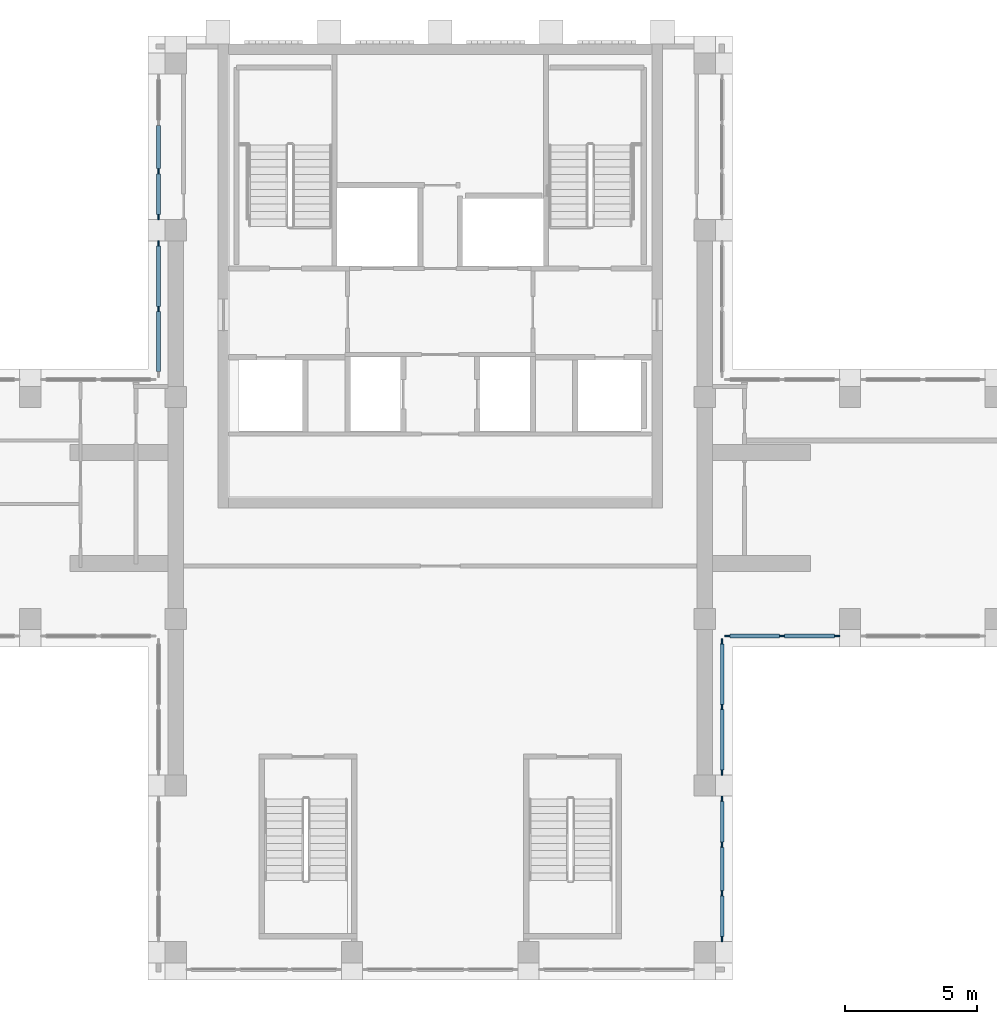
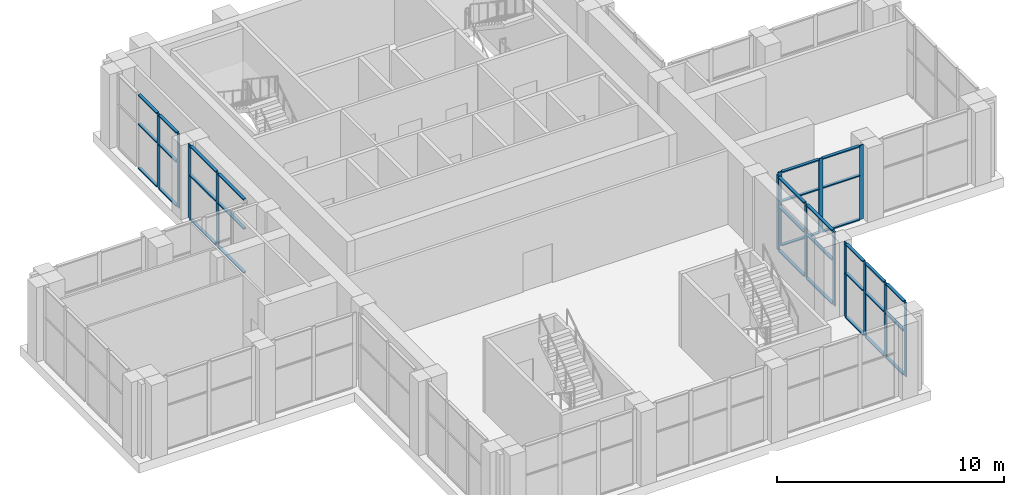
# One storey, part 4 of 15: 47 members, 5 elements without a shape of their own.
"""IFC4 building model written with IfcOpenShell, lengths in metres."""

from ifc_helpers import new_model, si_unit, direction, frame, origin, origin_2d, place, context, subcontext, project, spatial, rectangle, extrude, material, material_profile, profile_set, type_object, element, aggregate, save


model = new_model("IFC4")

# Units and contexts
model_context = context("Model", 3, precision=1e-05, world=origin(), true_north=direction((0.0, 1.0)))
body_context = subcontext(model_context, "Body", "Model", "MODEL_VIEW")
ifc_project = project(units=[si_unit("LENGTHUNIT", "METRE"), si_unit("AREAUNIT", "SQUARE_METRE"), si_unit("VOLUMEUNIT", "CUBIC_METRE"), si_unit("PLANEANGLEUNIT", "RADIAN"), si_unit("MASSUNIT", "GRAM", prefix="KILO")], contexts=[model_context])

# Site, building, storey
site_placement = place(None, origin())
site = spatial("IfcSite", under=ifc_project, at=site_placement, CompositionType="ELEMENT")
building_placement = place(site_placement, origin())
building = spatial("IfcBuilding", under=site, at=building_placement, Name="Vermilion Ogive Tower", CompositionType="ELEMENT")
storey_placement = place(building_placement, frame((0.0, 0.0, 293.85009765625)))
storey = spatial("IfcBuildingStorey", under=building, at=storey_placement, Name="L76", CompositionType="ELEMENT", Elevation=293.85009765625)

# Curtain wall, members
ifc_material_1 = material(Name="Low-iron laminated glazing in aluminium frame", Category="aluminium")
curtain_wall_type = type_object("IfcCurtainWallType", Name="Curtain wall CW3", PredefinedType="NOTDEFINED", material=ifc_material_1)
curtain_wall_1_placement = place(storey_placement, origin())
curtain_wall_1 = element("IfcCurtainWall", 1, at=curtain_wall_1_placement, inside=storey, type_object=curtain_wall_type, Name="CW3 glazing X11", PredefinedType="NOTDEFINED")
ifc_material_2 = material(Name="Aluminium mullion", Category="aluminium")
ifc_material_profile_1 = material_profile(ifc_material_2, rectangle(XDim=0.06005859375, YDim=0.199951171875, at=origin_2d()), Name="AL 60x200")
ifc_profile_set_1 = profile_set([ifc_material_profile_1], Name="Aluminium mullion")
member_type_1 = type_object("IfcMemberType", Name="CW3 mullion 60x200", PredefinedType="MULLION", material=ifc_profile_set_1)
member_1_placement = place(storey_placement, frame((10.64990234375, -12.10009765625, 0.0), z_axis=(0.0, 0.0, 1.0), x_axis=(-1.0, 0.0, 0.0)))
member_1 = element("IfcMember", 2, at=member_1_placement, type_object=member_type_1, Name="CW3-X11 mullion 1", PredefinedType="MULLION", context=body_context, shape_type="SweptSolid", body=[
    extrude(rectangle(XDim=0.06005859375, YDim=0.199951171875, at=origin_2d()), origin(), (0.0, 0.0, 1.0), 4.0),
])
member_2_placement = place(storey_placement, frame((10.64990234375, -10.36669921875, 0.0), z_axis=(0.0, 0.0, 1.0), x_axis=(-1.0, 0.0, 0.0)))
member_2 = element("IfcMember", 3, at=member_2_placement, type_object=member_type_1, Name="CW3-X11 mullion 2", PredefinedType="MULLION", context=body_context, shape_type="SweptSolid", body=[
    extrude(rectangle(XDim=0.06005859375, YDim=0.199951171875, at=origin_2d()), origin(), (0.0, 0.0, 1.0), 4.0),
])
member_3_placement = place(storey_placement, frame((10.64990234375, -8.533447265625, 0.0), z_axis=(0.0, 0.0, 1.0), x_axis=(-1.0, 0.0, 0.0)))
member_3 = element("IfcMember", 4, at=member_3_placement, type_object=member_type_1, Name="CW3-X11 mullion 3", PredefinedType="MULLION", context=body_context, shape_type="SweptSolid", body=[
    extrude(rectangle(XDim=0.06005859375, YDim=0.199951171875, at=origin_2d()), origin(), (0.0, 0.0, 1.0), 4.0),
])
member_4_placement = place(storey_placement, frame((10.64990234375, -6.800048828125, 0.0), z_axis=(0.0, 0.0, 1.0), x_axis=(-1.0, 0.0, 0.0)))
member_4 = element("IfcMember", 5, at=member_4_placement, type_object=member_type_1, Name="CW3-X11 mullion 4", PredefinedType="MULLION", context=body_context, shape_type="SweptSolid", body=[
    extrude(rectangle(XDim=0.06005859375, YDim=0.199951171875, at=origin_2d()), origin(), (0.0, 0.0, 1.0), 4.0),
])

curtain_wall_2_placement = place(storey_placement, origin())
curtain_wall_2 = element("IfcCurtainWall", 6, at=curtain_wall_2_placement, inside=storey, type_object=curtain_wall_type, Name="CW3 glazing X12", PredefinedType="NOTDEFINED")
member_5_placement = place(storey_placement, frame((10.64990234375, -5.800048828125, 0.0), z_axis=(0.0, 0.0, 1.0), x_axis=(-1.0, 0.0, 0.0)))
member_5 = element("IfcMember", 7, at=member_5_placement, type_object=member_type_1, Name="CW3-X12 mullion 1", PredefinedType="MULLION", context=body_context, shape_type="SweptSolid", body=[
    extrude(rectangle(XDim=0.06005859375, YDim=0.199951171875, at=origin_2d()), origin(), (0.0, 0.0, 1.0), 4.0),
])
member_6_placement = place(storey_placement, frame((10.64990234375, -3.324951171875, 0.0), z_axis=(0.0, 0.0, 1.0), x_axis=(-1.0, 0.0, 0.0)))
member_6 = element("IfcMember", 8, at=member_6_placement, type_object=member_type_1, Name="CW3-X12 mullion 2", PredefinedType="MULLION", context=body_context, shape_type="SweptSolid", body=[
    extrude(rectangle(XDim=0.06005859375, YDim=0.199951171875, at=origin_2d()), origin(), (0.0, 0.0, 1.0), 4.0),
])
member_7_placement = place(storey_placement, frame((10.64990234375, -0.85009765625, 0.0), z_axis=(0.0, 0.0, 1.0), x_axis=(-1.0, 0.0, 0.0)))
member_7 = element("IfcMember", 9, at=member_7_placement, type_object=member_type_1, Name="CW3-X12 mullion 3", PredefinedType="MULLION", context=body_context, shape_type="SweptSolid", body=[
    extrude(rectangle(XDim=0.06005859375, YDim=0.199951171875, at=origin_2d()), origin(), (0.0, 0.0, 1.0), 4.0),
])

curtain_wall_3_placement = place(storey_placement, origin())
curtain_wall_3 = element("IfcCurtainWall", 10, at=curtain_wall_3_placement, inside=storey, type_object=curtain_wall_type, Name="CW3 glazing X21", PredefinedType="NOTDEFINED")
member_8_placement = place(storey_placement, frame((10.85009765625, -0.64990234375, 0.0), z_axis=(0.0, 0.0, 1.0), x_axis=(0.0, 1.0, 0.0)))
member_8 = element("IfcMember", 11, at=member_8_placement, type_object=member_type_1, Name="CW3-X21 mullion 1", PredefinedType="MULLION", context=body_context, shape_type="SweptSolid", body=[
    extrude(rectangle(XDim=0.06005859375, YDim=0.199951171875, at=origin_2d()), origin(), (0.0, 0.0, 1.0), 4.0),
])
member_9_placement = place(storey_placement, frame((12.925048828125, -0.64990234375, 0.0), z_axis=(0.0, 0.0, 1.0), x_axis=(0.0, 1.0, 0.0)))
member_9 = element("IfcMember", 12, at=member_9_placement, type_object=member_type_1, Name="CW3-X21 mullion 2", PredefinedType="MULLION", context=body_context, shape_type="SweptSolid", body=[
    extrude(rectangle(XDim=0.06005859375, YDim=0.199951171875, at=origin_2d()), origin(), (0.0, 0.0, 1.0), 4.0),
])
member_10_placement = place(storey_placement, frame((15.0, -0.64990234375, 0.0), z_axis=(0.0, 0.0, 1.0), x_axis=(0.0, 1.0, 0.0)))
member_10 = element("IfcMember", 13, at=member_10_placement, type_object=member_type_1, Name="CW3-X21 mullion 3", PredefinedType="MULLION", context=body_context, shape_type="SweptSolid", body=[
    extrude(rectangle(XDim=0.06005859375, YDim=0.199951171875, at=origin_2d()), origin(), (0.0, 0.0, 1.0), 4.0),
])

curtain_wall_4_placement = place(storey_placement, origin())
curtain_wall_4 = element("IfcCurtainWall", 14, at=curtain_wall_4_placement, inside=storey, type_object=curtain_wall_type, Name="CW3 glazing X51", PredefinedType="NOTDEFINED")
member_11_placement = place(storey_placement, frame((-10.64990234375, 16.933349609375, 0.0), z_axis=(0.0, 0.0, 1.0), x_axis=(1.0, 0.0, 0.0)))
member_11 = element("IfcMember", 15, at=member_11_placement, type_object=member_type_1, Name="CW3-X51 mullion 3", PredefinedType="MULLION", context=body_context, shape_type="SweptSolid", body=[
    extrude(rectangle(XDim=0.06005859375, YDim=0.199951171875, at=origin_2d()), origin(), (0.0, 0.0, 1.0), 4.0),
])
member_12_placement = place(storey_placement, frame((-10.64990234375, 15.199951171875, 0.0), z_axis=(0.0, 0.0, 1.0), x_axis=(1.0, 0.0, 0.0)))
member_12 = element("IfcMember", 16, at=member_12_placement, type_object=member_type_1, Name="CW3-X51 mullion 4", PredefinedType="MULLION", context=body_context, shape_type="SweptSolid", body=[
    extrude(rectangle(XDim=0.06005859375, YDim=0.199951171875, at=origin_2d()), origin(), (0.0, 0.0, 1.0), 4.0),
])

curtain_wall_5_placement = place(storey_placement, origin())
curtain_wall_5 = element("IfcCurtainWall", 17, at=curtain_wall_5_placement, inside=storey, type_object=curtain_wall_type, Name="CW3 glazing X52", PredefinedType="NOTDEFINED")
member_13_placement = place(storey_placement, frame((-10.64990234375, 14.199951171875, 0.0), z_axis=(0.0, 0.0, 1.0), x_axis=(1.0, 0.0, 0.0)))
member_13 = element("IfcMember", 18, at=member_13_placement, type_object=member_type_1, Name="CW3-X52 mullion 1", PredefinedType="MULLION", context=body_context, shape_type="SweptSolid", body=[
    extrude(rectangle(XDim=0.06005859375, YDim=0.199951171875, at=origin_2d()), origin(), (0.0, 0.0, 1.0), 4.0),
])
member_14_placement = place(storey_placement, frame((-10.64990234375, 11.72509765625, 0.0), z_axis=(0.0, 0.0, 1.0), x_axis=(1.0, 0.0, 0.0)))
member_14 = element("IfcMember", 19, at=member_14_placement, type_object=member_type_1, Name="CW3-X52 mullion 2", PredefinedType="MULLION", context=body_context, shape_type="SweptSolid", body=[
    extrude(rectangle(XDim=0.06005859375, YDim=0.199951171875, at=origin_2d()), origin(), (0.0, 0.0, 1.0), 4.0),
])

# Member
ifc_material_3 = material(Name="Aluminium transom", Category="aluminium")
ifc_material_profile_2 = material_profile(ifc_material_3, rectangle(XDim=0.14990234375, YDim=0.06005859375, at=origin_2d()), Name="AL 60x150")
ifc_profile_set_2 = profile_set([ifc_material_profile_2], Name="Aluminium transom")
member_type_2 = type_object("IfcMemberType", Name="CW3 transom 60x150", PredefinedType="USERDEFINED", material=ifc_profile_set_2)
member_15_placement = place(storey_placement, frame((10.64990234375, -12.0, 0.02978515625), z_axis=(0.0, 1.0, 0.0), x_axis=(-1.0, 0.0, 0.0)))
member_15 = element("IfcMember", 20, at=member_15_placement, type_object=member_type_2, Name="CW3-X11 transom 1.1", ObjectType="TRANSOM", PredefinedType="USERDEFINED", context=body_context, shape_type="SweptSolid", body=[
    extrude(rectangle(XDim=0.14990234375, YDim=0.06005859375, at=origin_2d()), origin(), (0.0, 0.0, 1.0), 1.533447265625),
])

member_16_placement = place(storey_placement, frame((10.64990234375, -12.0, 2.39990234375), z_axis=(0.0, 1.0, 0.0), x_axis=(-1.0, 0.0, 0.0)))
member_16 = element("IfcMember", 21, at=member_16_placement, type_object=member_type_2, Name="CW3-X11 transom 1.2", ObjectType="TRANSOM", PredefinedType="USERDEFINED", context=body_context, shape_type="SweptSolid", body=[
    extrude(rectangle(XDim=0.14990234375, YDim=0.06005859375, at=origin_2d()), origin(), (0.0, 0.0, 1.0), 1.533447265625),
])

member_17_placement = place(storey_placement, frame((10.64990234375, -12.0, 3.969970703125), z_axis=(0.0, 1.0, 0.0), x_axis=(-1.0, 0.0, 0.0)))
member_17 = element("IfcMember", 22, at=member_17_placement, type_object=member_type_2, Name="CW3-X11 transom 1.3", ObjectType="TRANSOM", PredefinedType="USERDEFINED", context=body_context, shape_type="SweptSolid", body=[
    extrude(rectangle(XDim=0.14990234375, YDim=0.06005859375, at=origin_2d()), origin(), (0.0, 0.0, 1.0), 1.533447265625),
])

member_18_placement = place(storey_placement, frame((10.64990234375, -10.2666015625, 0.02978515625), z_axis=(0.0, 1.0, 0.0), x_axis=(-1.0, 0.0, 0.0)))
member_18 = element("IfcMember", 23, at=member_18_placement, type_object=member_type_2, Name="CW3-X11 transom 2.1", ObjectType="TRANSOM", PredefinedType="USERDEFINED", context=body_context, shape_type="SweptSolid", body=[
    extrude(rectangle(XDim=0.14990234375, YDim=0.06005859375, at=origin_2d()), origin(), (0.0, 0.0, 1.0), 1.63330078125),
])

member_19_placement = place(storey_placement, frame((10.64990234375, -10.2666015625, 2.39990234375), z_axis=(0.0, 1.0, 0.0), x_axis=(-1.0, 0.0, 0.0)))
member_19 = element("IfcMember", 24, at=member_19_placement, type_object=member_type_2, Name="CW3-X11 transom 2.2", ObjectType="TRANSOM", PredefinedType="USERDEFINED", context=body_context, shape_type="SweptSolid", body=[
    extrude(rectangle(XDim=0.14990234375, YDim=0.06005859375, at=origin_2d()), origin(), (0.0, 0.0, 1.0), 1.63330078125),
])

member_20_placement = place(storey_placement, frame((10.64990234375, -10.2666015625, 3.969970703125), z_axis=(0.0, 1.0, 0.0), x_axis=(-1.0, 0.0, 0.0)))
member_20 = element("IfcMember", 25, at=member_20_placement, type_object=member_type_2, Name="CW3-X11 transom 2.3", ObjectType="TRANSOM", PredefinedType="USERDEFINED", context=body_context, shape_type="SweptSolid", body=[
    extrude(rectangle(XDim=0.14990234375, YDim=0.06005859375, at=origin_2d()), origin(), (0.0, 0.0, 1.0), 1.63330078125),
])

member_21_placement = place(storey_placement, frame((10.64990234375, -8.433349609375, 0.02978515625), z_axis=(0.0, 1.0, 0.0), x_axis=(-1.0, 0.0, 0.0)))
member_21 = element("IfcMember", 26, at=member_21_placement, type_object=member_type_2, Name="CW3-X11 transom 3.1", ObjectType="TRANSOM", PredefinedType="USERDEFINED", context=body_context, shape_type="SweptSolid", body=[
    extrude(rectangle(XDim=0.14990234375, YDim=0.06005859375, at=origin_2d()), origin(), (0.0, 0.0, 1.0), 1.533447265625),
])

member_22_placement = place(storey_placement, frame((10.64990234375, -8.433349609375, 2.39990234375), z_axis=(0.0, 1.0, 0.0), x_axis=(-1.0, 0.0, 0.0)))
member_22 = element("IfcMember", 27, at=member_22_placement, type_object=member_type_2, Name="CW3-X11 transom 3.2", ObjectType="TRANSOM", PredefinedType="USERDEFINED", context=body_context, shape_type="SweptSolid", body=[
    extrude(rectangle(XDim=0.14990234375, YDim=0.06005859375, at=origin_2d()), origin(), (0.0, 0.0, 1.0), 1.533447265625),
])

member_23_placement = place(storey_placement, frame((10.64990234375, -8.433349609375, 3.969970703125), z_axis=(0.0, 1.0, 0.0), x_axis=(-1.0, 0.0, 0.0)))
member_23 = element("IfcMember", 28, at=member_23_placement, type_object=member_type_2, Name="CW3-X11 transom 3.3", ObjectType="TRANSOM", PredefinedType="USERDEFINED", context=body_context, shape_type="SweptSolid", body=[
    extrude(rectangle(XDim=0.14990234375, YDim=0.06005859375, at=origin_2d()), origin(), (0.0, 0.0, 1.0), 1.533447265625),
])

aggregate(curtain_wall_1, [member_1, member_2, member_3, member_4, member_15, member_16, member_17, member_18, member_19, member_20, member_21, member_22, member_23])

member_24_placement = place(storey_placement, frame((10.64990234375, -5.699951171875, 0.02978515625), z_axis=(0.0, 1.0, 0.0), x_axis=(-1.0, 0.0, 0.0)))
member_24 = element("IfcMember", 29, at=member_24_placement, type_object=member_type_2, Name="CW3-X12 transom 1.1", ObjectType="TRANSOM", PredefinedType="USERDEFINED", context=body_context, shape_type="SweptSolid", body=[
    extrude(rectangle(XDim=0.14990234375, YDim=0.06005859375, at=origin_2d()), origin(), (0.0, 0.0, 1.0), 2.27490234375),
])

member_25_placement = place(storey_placement, frame((10.64990234375, -5.699951171875, 2.39990234375), z_axis=(0.0, 1.0, 0.0), x_axis=(-1.0, 0.0, 0.0)))
member_25 = element("IfcMember", 30, at=member_25_placement, type_object=member_type_2, Name="CW3-X12 transom 1.2", ObjectType="TRANSOM", PredefinedType="USERDEFINED", context=body_context, shape_type="SweptSolid", body=[
    extrude(rectangle(XDim=0.14990234375, YDim=0.06005859375, at=origin_2d()), origin(), (0.0, 0.0, 1.0), 2.27490234375),
])

member_26_placement = place(storey_placement, frame((10.64990234375, -5.699951171875, 3.969970703125), z_axis=(0.0, 1.0, 0.0), x_axis=(-1.0, 0.0, 0.0)))
member_26 = element("IfcMember", 31, at=member_26_placement, type_object=member_type_2, Name="CW3-X12 transom 1.3", ObjectType="TRANSOM", PredefinedType="USERDEFINED", context=body_context, shape_type="SweptSolid", body=[
    extrude(rectangle(XDim=0.14990234375, YDim=0.06005859375, at=origin_2d()), origin(), (0.0, 0.0, 1.0), 2.27490234375),
])

member_27_placement = place(storey_placement, frame((10.64990234375, -3.22509765625, 0.02978515625), z_axis=(0.0, 1.0, 0.0), x_axis=(-1.0, 0.0, 0.0)))
member_27 = element("IfcMember", 32, at=member_27_placement, type_object=member_type_2, Name="CW3-X12 transom 2.1", ObjectType="TRANSOM", PredefinedType="USERDEFINED", context=body_context, shape_type="SweptSolid", body=[
    extrude(rectangle(XDim=0.14990234375, YDim=0.06005859375, at=origin_2d()), origin(), (0.0, 0.0, 1.0), 2.275146484375),
])

member_28_placement = place(storey_placement, frame((10.64990234375, -3.22509765625, 2.39990234375), z_axis=(0.0, 1.0, 0.0), x_axis=(-1.0, 0.0, 0.0)))
member_28 = element("IfcMember", 33, at=member_28_placement, type_object=member_type_2, Name="CW3-X12 transom 2.2", ObjectType="TRANSOM", PredefinedType="USERDEFINED", context=body_context, shape_type="SweptSolid", body=[
    extrude(rectangle(XDim=0.14990234375, YDim=0.06005859375, at=origin_2d()), origin(), (0.0, 0.0, 1.0), 2.275146484375),
])

member_29_placement = place(storey_placement, frame((10.64990234375, -3.22509765625, 3.969970703125), z_axis=(0.0, 1.0, 0.0), x_axis=(-1.0, 0.0, 0.0)))
member_29 = element("IfcMember", 34, at=member_29_placement, type_object=member_type_2, Name="CW3-X12 transom 2.3", ObjectType="TRANSOM", PredefinedType="USERDEFINED", context=body_context, shape_type="SweptSolid", body=[
    extrude(rectangle(XDim=0.14990234375, YDim=0.06005859375, at=origin_2d()), origin(), (0.0, 0.0, 1.0), 2.275146484375),
])

aggregate(curtain_wall_2, [member_5, member_6, member_7, member_24, member_25, member_26, member_27, member_28, member_29])

member_30_placement = place(storey_placement, frame((10.949951171875, -0.64990234375, 0.02978515625), z_axis=(1.0, 0.0, 0.0), x_axis=(0.0, 1.0, 0.0)))
member_30 = element("IfcMember", 35, at=member_30_placement, type_object=member_type_2, Name="CW3-X21 transom 1.1", ObjectType="TRANSOM", PredefinedType="USERDEFINED", context=body_context, shape_type="SweptSolid", body=[
    extrude(rectangle(XDim=0.14990234375, YDim=0.06005859375, at=origin_2d()), origin(), (0.0, 0.0, 1.0), 1.875),
])

member_31_placement = place(storey_placement, frame((10.949951171875, -0.64990234375, 2.39990234375), z_axis=(1.0, 0.0, 0.0), x_axis=(0.0, 1.0, 0.0)))
member_31 = element("IfcMember", 36, at=member_31_placement, type_object=member_type_2, Name="CW3-X21 transom 1.2", ObjectType="TRANSOM", PredefinedType="USERDEFINED", context=body_context, shape_type="SweptSolid", body=[
    extrude(rectangle(XDim=0.14990234375, YDim=0.06005859375, at=origin_2d()), origin(), (0.0, 0.0, 1.0), 1.875),
])

member_32_placement = place(storey_placement, frame((10.949951171875, -0.64990234375, 3.969970703125), z_axis=(1.0, 0.0, 0.0), x_axis=(0.0, 1.0, 0.0)))
member_32 = element("IfcMember", 37, at=member_32_placement, type_object=member_type_2, Name="CW3-X21 transom 1.3", ObjectType="TRANSOM", PredefinedType="USERDEFINED", context=body_context, shape_type="SweptSolid", body=[
    extrude(rectangle(XDim=0.14990234375, YDim=0.06005859375, at=origin_2d()), origin(), (0.0, 0.0, 1.0), 1.875),
])

member_33_placement = place(storey_placement, frame((13.02490234375, -0.64990234375, 0.02978515625), z_axis=(1.0, 0.0, 0.0), x_axis=(0.0, 1.0, 0.0)))
member_33 = element("IfcMember", 38, at=member_33_placement, type_object=member_type_2, Name="CW3-X21 transom 2.1", ObjectType="TRANSOM", PredefinedType="USERDEFINED", context=body_context, shape_type="SweptSolid", body=[
    extrude(rectangle(XDim=0.14990234375, YDim=0.06005859375, at=origin_2d()), origin(), (0.0, 0.0, 1.0), 1.875),
])

member_34_placement = place(storey_placement, frame((13.02490234375, -0.64990234375, 2.39990234375), z_axis=(1.0, 0.0, 0.0), x_axis=(0.0, 1.0, 0.0)))
member_34 = element("IfcMember", 39, at=member_34_placement, type_object=member_type_2, Name="CW3-X21 transom 2.2", ObjectType="TRANSOM", PredefinedType="USERDEFINED", context=body_context, shape_type="SweptSolid", body=[
    extrude(rectangle(XDim=0.14990234375, YDim=0.06005859375, at=origin_2d()), origin(), (0.0, 0.0, 1.0), 1.875),
])

member_35_placement = place(storey_placement, frame((13.02490234375, -0.64990234375, 3.969970703125), z_axis=(1.0, 0.0, 0.0), x_axis=(0.0, 1.0, 0.0)))
member_35 = element("IfcMember", 40, at=member_35_placement, type_object=member_type_2, Name="CW3-X21 transom 2.3", ObjectType="TRANSOM", PredefinedType="USERDEFINED", context=body_context, shape_type="SweptSolid", body=[
    extrude(rectangle(XDim=0.14990234375, YDim=0.06005859375, at=origin_2d()), origin(), (0.0, 0.0, 1.0), 1.875),
])

aggregate(curtain_wall_3, [member_8, member_9, member_10, member_30, member_31, member_32, member_33, member_34, member_35])

member_36_placement = place(storey_placement, frame((-10.64990234375, 18.666748046875, 0.02978515625), z_axis=(0.0, -1.0, 0.0), x_axis=(1.0, 0.0, 0.0)))
member_36 = element("IfcMember", 41, at=member_36_placement, type_object=member_type_2, Name="CW3-X51 transom 2.1", ObjectType="TRANSOM", PredefinedType="USERDEFINED", context=body_context, shape_type="SweptSolid", body=[
    extrude(rectangle(XDim=0.14990234375, YDim=0.06005859375, at=origin_2d()), origin(), (0.0, 0.0, 1.0), 1.63330078125),
])

member_37_placement = place(storey_placement, frame((-10.64990234375, 18.666748046875, 2.39990234375), z_axis=(0.0, -1.0, 0.0), x_axis=(1.0, 0.0, 0.0)))
member_37 = element("IfcMember", 42, at=member_37_placement, type_object=member_type_2, Name="CW3-X51 transom 2.2", ObjectType="TRANSOM", PredefinedType="USERDEFINED", context=body_context, shape_type="SweptSolid", body=[
    extrude(rectangle(XDim=0.14990234375, YDim=0.06005859375, at=origin_2d()), origin(), (0.0, 0.0, 1.0), 1.63330078125),
])

member_38_placement = place(storey_placement, frame((-10.64990234375, 18.666748046875, 3.969970703125), z_axis=(0.0, -1.0, 0.0), x_axis=(1.0, 0.0, 0.0)))
member_38 = element("IfcMember", 43, at=member_38_placement, type_object=member_type_2, Name="CW3-X51 transom 2.3", ObjectType="TRANSOM", PredefinedType="USERDEFINED", context=body_context, shape_type="SweptSolid", body=[
    extrude(rectangle(XDim=0.14990234375, YDim=0.06005859375, at=origin_2d()), origin(), (0.0, 0.0, 1.0), 1.63330078125),
])

member_39_placement = place(storey_placement, frame((-10.64990234375, 16.833251953125, 0.02978515625), z_axis=(0.0, -1.0, 0.0), x_axis=(1.0, 0.0, 0.0)))
member_39 = element("IfcMember", 44, at=member_39_placement, type_object=member_type_2, Name="CW3-X51 transom 3.1", ObjectType="TRANSOM", PredefinedType="USERDEFINED", context=body_context, shape_type="SweptSolid", body=[
    extrude(rectangle(XDim=0.14990234375, YDim=0.06005859375, at=origin_2d()), origin(), (0.0, 0.0, 1.0), 1.533203125),
])

member_40_placement = place(storey_placement, frame((-10.64990234375, 16.833251953125, 2.39990234375), z_axis=(0.0, -1.0, 0.0), x_axis=(1.0, 0.0, 0.0)))
member_40 = element("IfcMember", 45, at=member_40_placement, type_object=member_type_2, Name="CW3-X51 transom 3.2", ObjectType="TRANSOM", PredefinedType="USERDEFINED", context=body_context, shape_type="SweptSolid", body=[
    extrude(rectangle(XDim=0.14990234375, YDim=0.06005859375, at=origin_2d()), origin(), (0.0, 0.0, 1.0), 1.533203125),
])

member_41_placement = place(storey_placement, frame((-10.64990234375, 16.833251953125, 3.969970703125), z_axis=(0.0, -1.0, 0.0), x_axis=(1.0, 0.0, 0.0)))
member_41 = element("IfcMember", 46, at=member_41_placement, type_object=member_type_2, Name="CW3-X51 transom 3.3", ObjectType="TRANSOM", PredefinedType="USERDEFINED", context=body_context, shape_type="SweptSolid", body=[
    extrude(rectangle(XDim=0.14990234375, YDim=0.06005859375, at=origin_2d()), origin(), (0.0, 0.0, 1.0), 1.533203125),
])

aggregate(curtain_wall_4, [member_11, member_12, member_36, member_37, member_38, member_39, member_40, member_41])

member_42_placement = place(storey_placement, frame((-10.64990234375, 14.10009765625, 0.02978515625), z_axis=(0.0, -1.0, 0.0), x_axis=(1.0, 0.0, 0.0)))
member_42 = element("IfcMember", 47, at=member_42_placement, type_object=member_type_2, Name="CW3-X52 transom 1.1", ObjectType="TRANSOM", PredefinedType="USERDEFINED", context=body_context, shape_type="SweptSolid", body=[
    extrude(rectangle(XDim=0.14990234375, YDim=0.06005859375, at=origin_2d()), origin(), (0.0, 0.0, 1.0), 2.275146484375),
])

member_43_placement = place(storey_placement, frame((-10.64990234375, 14.10009765625, 2.39990234375), z_axis=(0.0, -1.0, 0.0), x_axis=(1.0, 0.0, 0.0)))
member_43 = element("IfcMember", 48, at=member_43_placement, type_object=member_type_2, Name="CW3-X52 transom 1.2", ObjectType="TRANSOM", PredefinedType="USERDEFINED", context=body_context, shape_type="SweptSolid", body=[
    extrude(rectangle(XDim=0.14990234375, YDim=0.06005859375, at=origin_2d()), origin(), (0.0, 0.0, 1.0), 2.275146484375),
])

member_44_placement = place(storey_placement, frame((-10.64990234375, 14.10009765625, 3.969970703125), z_axis=(0.0, -1.0, 0.0), x_axis=(1.0, 0.0, 0.0)))
member_44 = element("IfcMember", 49, at=member_44_placement, type_object=member_type_2, Name="CW3-X52 transom 1.3", ObjectType="TRANSOM", PredefinedType="USERDEFINED", context=body_context, shape_type="SweptSolid", body=[
    extrude(rectangle(XDim=0.14990234375, YDim=0.06005859375, at=origin_2d()), origin(), (0.0, 0.0, 1.0), 2.275146484375),
])

member_45_placement = place(storey_placement, frame((-10.64990234375, 11.625, 0.02978515625), z_axis=(0.0, -1.0, 0.0), x_axis=(1.0, 0.0, 0.0)))
member_45 = element("IfcMember", 50, at=member_45_placement, type_object=member_type_2, Name="CW3-X52 transom 2.1", ObjectType="TRANSOM", PredefinedType="USERDEFINED", context=body_context, shape_type="SweptSolid", body=[
    extrude(rectangle(XDim=0.14990234375, YDim=0.06005859375, at=origin_2d()), origin(), (0.0, 0.0, 1.0), 2.27490234375),
])

member_46_placement = place(storey_placement, frame((-10.64990234375, 11.625, 2.39990234375), z_axis=(0.0, -1.0, 0.0), x_axis=(1.0, 0.0, 0.0)))
member_46 = element("IfcMember", 51, at=member_46_placement, type_object=member_type_2, Name="CW3-X52 transom 2.2", ObjectType="TRANSOM", PredefinedType="USERDEFINED", context=body_context, shape_type="SweptSolid", body=[
    extrude(rectangle(XDim=0.14990234375, YDim=0.06005859375, at=origin_2d()), origin(), (0.0, 0.0, 1.0), 2.27490234375),
])

member_47_placement = place(storey_placement, frame((-10.64990234375, 11.625, 3.969970703125), z_axis=(0.0, -1.0, 0.0), x_axis=(1.0, 0.0, 0.0)))
member_47 = element("IfcMember", 52, at=member_47_placement, type_object=member_type_2, Name="CW3-X52 transom 2.3", ObjectType="TRANSOM", PredefinedType="USERDEFINED", context=body_context, shape_type="SweptSolid", body=[
    extrude(rectangle(XDim=0.14990234375, YDim=0.06005859375, at=origin_2d()), origin(), (0.0, 0.0, 1.0), 2.27490234375),
])

aggregate(curtain_wall_5, [member_13, member_14, member_42, member_43, member_44, member_45, member_46, member_47])

save(model, "model.ifc")
